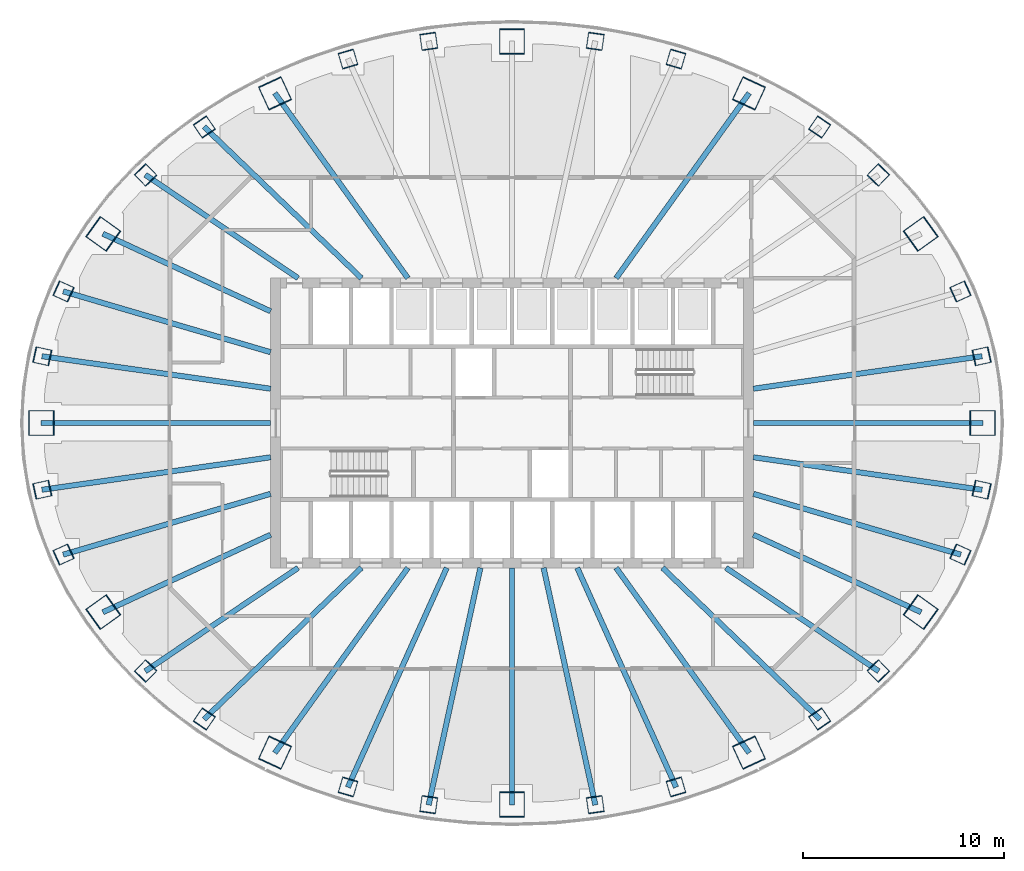
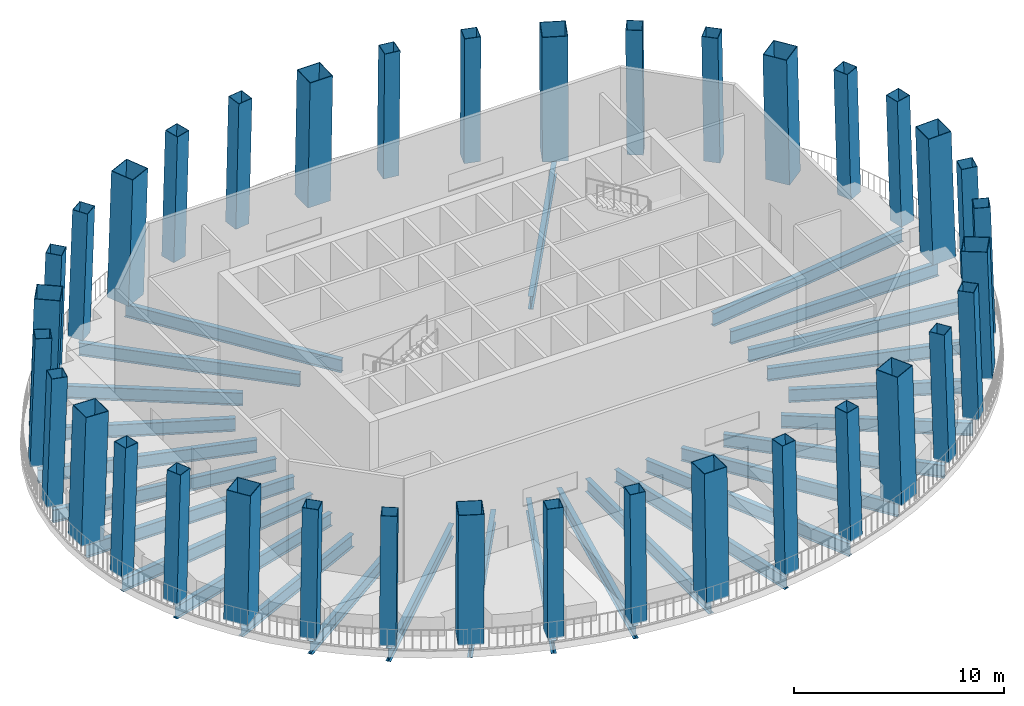
# One storey, part 1 of 15: 36 columns, 27 beams.
"""IFC4 building model written with IfcOpenShell, lengths in metres."""

from ifc_helpers import new_model, si_unit, direction, frame, origin, origin_2d, place, context, subcontext, project, spatial, hollow_rectangle, i_section, extrude, material, material_profile, profile_set, type_object, element, save


model = new_model("IFC4")

# Units and contexts
model_context = context("Model", 3, precision=1e-05, world=origin(), true_north=direction((0.0, 1.0)))
body_context = subcontext(model_context, "Body", "Model", "MODEL_VIEW")
ifc_project = project(units=[si_unit("LENGTHUNIT", "METRE"), si_unit("AREAUNIT", "SQUARE_METRE"), si_unit("VOLUMEUNIT", "CUBIC_METRE"), si_unit("PLANEANGLEUNIT", "RADIAN"), si_unit("MASSUNIT", "GRAM", prefix="KILO")], contexts=[model_context])

# Site, building, storey
site_placement = place(None, origin())
site = spatial("IfcSite", under=ifc_project, at=site_placement, CompositionType="ELEMENT")
building_placement = place(site_placement, origin())
building = spatial("IfcBuilding", under=site, at=building_placement, Name="Siaravel Broadcast Tower", CompositionType="ELEMENT")
storey_placement = place(building_placement, frame((0.0, 0.0, 145.199951171875)))
storey = spatial("IfcBuildingStorey", under=building, at=storey_placement, Name="L35", CompositionType="ELEMENT", Elevation=145.199951171875)

# Columns
ifc_material_1 = material(Name="Concrete C60/75", Category="concrete")
ifc_material_profile_1 = material_profile(ifc_material_1, hollow_rectangle(XDim=1.25, YDim=1.25, WallThickness=0.031982421875, at=origin_2d()))
ifc_profile_set_1 = profile_set([ifc_material_profile_1], Name="Concrete C60/75")
column_type_1 = type_object("IfcColumnType", Name="COL-CFT BOX 1250x1250x32", PredefinedType="COLUMN", material=ifc_profile_set_1)
column_1_placement = place(storey_placement, frame((23.416748046875, 0.0, 0.0), z_axis=(-0.034587192, 0.0, 0.999401684), x_axis=(0.0, -1.0, 0.0)))
element("IfcColumn", 1, at=column_1_placement, inside=storey, type_object=column_type_1, Name="Megacolumn MC01", PredefinedType="COLUMN", context=body_context, shape_type="SweptSolid", body=[
    extrude(hollow_rectangle(XDim=1.25, YDim=1.25, WallThickness=0.031982421875, at=origin_2d()), origin(), (0.0, 0.0, 1.0), 7.404541015625),
])
column_2_placement = place(storey_placement, frame((20.3330078125, 9.4072265625, 0.0), z_axis=(-0.029939694, -0.014145516, 0.999451609), x_axis=(0.582589864, -0.812744522, 0.005949134)))
element("IfcColumn", 2, at=column_2_placement, inside=storey, type_object=column_type_1, Name="Megacolumn MC02", PredefinedType="COLUMN", context=body_context, shape_type="SweptSolid", body=[
    extrude(hollow_rectangle(XDim=1.25, YDim=1.25, WallThickness=0.031982421875, at=origin_2d()), origin(), (0.0, 0.0, 1.0), 7.404296875),
])
column_3_placement = place(storey_placement, frame((11.7880859375, 16.397216796875, 0.0), z_axis=(-0.017279654, -0.024567447, 0.999548825), x_axis=(0.90833104, -0.418216817, 0.005423574)))
element("IfcColumn", 3, at=column_3_placement, inside=storey, type_object=column_type_1, Name="Megacolumn MC03", PredefinedType="COLUMN", context=body_context, shape_type="SweptSolid", body=[
    extrude(hollow_rectangle(XDim=1.25, YDim=1.25, WallThickness=0.031982421875, at=origin_2d()), origin(), (0.0, 0.0, 1.0), 7.403564453125),
])
column_4_placement = place(storey_placement, frame((0.0, 18.98193359375, 0.0), z_axis=(0.0, -0.028328173, 0.999598677), x_axis=(1.0, 0.0, 0.0)))
element("IfcColumn", 4, at=column_4_placement, inside=storey, type_object=column_type_1, Name="Megacolumn MC04", PredefinedType="COLUMN", context=body_context, shape_type="SweptSolid", body=[
    extrude(hollow_rectangle(XDim=1.25, YDim=1.25, WallThickness=0.031982421875, at=origin_2d()), origin(), (0.0, 0.0, 1.0), 7.403076171875),
])
column_5_placement = place(storey_placement, frame((-11.7880859375, 16.397216796875, 0.0), z_axis=(0.017279654, -0.024567447, 0.999548825), x_axis=(0.90833104, 0.418216817, -0.005423574)))
element("IfcColumn", 5, at=column_5_placement, inside=storey, type_object=column_type_1, Name="Megacolumn MC05", PredefinedType="COLUMN", context=body_context, shape_type="SweptSolid", body=[
    extrude(hollow_rectangle(XDim=1.25, YDim=1.25, WallThickness=0.031982421875, at=origin_2d()), origin(), (0.0, 0.0, 1.0), 7.403564453125),
])
column_6_placement = place(storey_placement, frame((-20.3330078125, 9.4072265625, 0.0), z_axis=(0.029939694, -0.014145516, 0.999451609), x_axis=(0.582589864, 0.812744522, -0.005949134)))
element("IfcColumn", 6, at=column_6_placement, inside=storey, type_object=column_type_1, Name="Megacolumn MC06", PredefinedType="COLUMN", context=body_context, shape_type="SweptSolid", body=[
    extrude(hollow_rectangle(XDim=1.25, YDim=1.25, WallThickness=0.031982421875, at=origin_2d()), origin(), (0.0, 0.0, 1.0), 7.404296875),
])
column_7_placement = place(storey_placement, frame((-23.416748046875, 0.0, 0.0), z_axis=(0.034587192, 0.0, 0.999401684), x_axis=(0.0, 1.0, 0.0)))
element("IfcColumn", 7, at=column_7_placement, inside=storey, type_object=column_type_1, Name="Megacolumn MC07", PredefinedType="COLUMN", context=body_context, shape_type="SweptSolid", body=[
    extrude(hollow_rectangle(XDim=1.25, YDim=1.25, WallThickness=0.031982421875, at=origin_2d()), origin(), (0.0, 0.0, 1.0), 7.404541015625),
])
column_8_placement = place(storey_placement, frame((-20.3330078125, -9.4072265625, 0.0), z_axis=(0.029939694, 0.014145516, 0.999451609), x_axis=(-0.582589864, 0.812744522, 0.005949134)))
element("IfcColumn", 8, at=column_8_placement, inside=storey, type_object=column_type_1, Name="Megacolumn MC08", PredefinedType="COLUMN", context=body_context, shape_type="SweptSolid", body=[
    extrude(hollow_rectangle(XDim=1.25, YDim=1.25, WallThickness=0.031982421875, at=origin_2d()), origin(), (0.0, 0.0, 1.0), 7.404296875),
])
column_9_placement = place(storey_placement, frame((-11.7880859375, -16.397216796875, 0.0), z_axis=(0.017279654, 0.024567447, 0.999548825), x_axis=(-0.90833104, 0.418216817, 0.005423574)))
element("IfcColumn", 9, at=column_9_placement, inside=storey, type_object=column_type_1, Name="Megacolumn MC09", PredefinedType="COLUMN", context=body_context, shape_type="SweptSolid", body=[
    extrude(hollow_rectangle(XDim=1.25, YDim=1.25, WallThickness=0.031982421875, at=origin_2d()), origin(), (0.0, 0.0, 1.0), 7.403564453125),
])
column_10_placement = place(storey_placement, frame((0.0, -18.98193359375, 0.0), z_axis=(0.0, 0.028328173, 0.999598677), x_axis=(-1.0, 0.0, 0.0)))
element("IfcColumn", 10, at=column_10_placement, inside=storey, type_object=column_type_1, Name="Megacolumn MC10", PredefinedType="COLUMN", context=body_context, shape_type="SweptSolid", body=[
    extrude(hollow_rectangle(XDim=1.25, YDim=1.25, WallThickness=0.031982421875, at=origin_2d()), origin(), (0.0, 0.0, 1.0), 7.403076171875),
])
column_11_placement = place(storey_placement, frame((11.7880859375, -16.397216796875, 0.0), z_axis=(-0.017279654, 0.024567447, 0.999548825), x_axis=(-0.90833104, -0.418216817, -0.005423574)))
element("IfcColumn", 11, at=column_11_placement, inside=storey, type_object=column_type_1, Name="Megacolumn MC11", PredefinedType="COLUMN", context=body_context, shape_type="SweptSolid", body=[
    extrude(hollow_rectangle(XDim=1.25, YDim=1.25, WallThickness=0.031982421875, at=origin_2d()), origin(), (0.0, 0.0, 1.0), 7.403564453125),
])
column_12_placement = place(storey_placement, frame((20.3330078125, -9.4072265625, 0.0), z_axis=(-0.029939694, 0.014145516, 0.999451609), x_axis=(-0.582589864, -0.812744522, -0.005949134)))
element("IfcColumn", 12, at=column_12_placement, inside=storey, type_object=column_type_1, Name="Megacolumn MC12", PredefinedType="COLUMN", context=body_context, shape_type="SweptSolid", body=[
    extrude(hollow_rectangle(XDim=1.25, YDim=1.25, WallThickness=0.031982421875, at=origin_2d()), origin(), (0.0, 0.0, 1.0), 7.404296875),
])
ifc_material_profile_2 = material_profile(ifc_material_1, hollow_rectangle(XDim=0.800048828125, YDim=0.800048828125, WallThickness=0.02490234375, at=origin_2d()))
ifc_profile_set_2 = profile_set([ifc_material_profile_2], Name="Concrete C60/75")
column_type_2 = type_object("IfcColumnType", Name="COL-CFT BOX 800x800x25", PredefinedType="COLUMN", material=ifc_profile_set_2)
column_13_placement = place(storey_placement, frame((23.3623046875, 3.31884765625, 0.0), z_axis=(-0.034059852, -0.004912796, 0.99940772), x_axis=(0.212489843, -0.977160233, 0.002438228)))
element("IfcColumn", 13, at=column_13_placement, inside=storey, type_object=column_type_2, Name="Perimeter column C01", PredefinedType="COLUMN", context=body_context, shape_type="SweptSolid", body=[
    extrude(hollow_rectangle(XDim=0.800048828125, YDim=0.800048828125, WallThickness=0.02490234375, at=origin_2d()), origin(), (0.0, 0.0, 1.0), 7.404541015625),
])
column_14_placement = place(storey_placement, frame((22.30712890625, 6.543701171875, 0.0), z_axis=(-0.03251071, -0.009726835, 0.999424055), x_axis=(0.410893794, -0.911672145, 0.004493352)))
element("IfcColumn", 14, at=column_14_placement, inside=storey, type_object=column_type_2, Name="Perimeter column C02", PredefinedType="COLUMN", context=body_context, shape_type="SweptSolid", body=[
    extrude(hollow_rectangle(XDim=0.800048828125, YDim=0.800048828125, WallThickness=0.02490234375, at=origin_2d()), origin(), (0.0, 0.0, 1.0), 7.404296875),
])
column_15_placement = place(storey_placement, frame((18.22216796875, 12.3359375, 0.0), z_axis=(-0.026511305, -0.018201791, 0.999482789), x_axis=(0.720044306, -0.693898, 0.00646247)))
element("IfcColumn", 15, at=column_15_placement, inside=storey, type_object=column_type_2, Name="Perimeter column C03", PredefinedType="COLUMN", context=body_context, shape_type="SweptSolid", body=[
    extrude(hollow_rectangle(XDim=0.800048828125, YDim=0.800048828125, WallThickness=0.02490234375, at=origin_2d()), origin(), (0.0, 0.0, 1.0), 7.404052734375),
])
column_16_placement = place(storey_placement, frame((15.305908203125, 14.724365234375, 0.0), z_axis=(-0.022225423, -0.021697816, 0.999517501), x_axis=(0.828184514, -0.560420689, 0.006249861)))
element("IfcColumn", 16, at=column_16_placement, inside=storey, type_object=column_type_2, Name="Perimeter column C04", PredefinedType="COLUMN", context=body_context, shape_type="SweptSolid", body=[
    extrude(hollow_rectangle(XDim=0.800048828125, YDim=0.800048828125, WallThickness=0.02490234375, at=origin_2d()), origin(), (0.0, 0.0, 1.0), 7.40380859375),
])
column_17_placement = place(storey_placement, frame((8.15673828125, 18.104248046875, 0.0), z_axis=(-0.011838849, -0.026645656, 0.999574835), x_axis=(0.959763153, -0.280783932, 0.00388247)))
element("IfcColumn", 17, at=column_17_placement, inside=storey, type_object=column_type_2, Name="Perimeter column C05", PredefinedType="COLUMN", context=body_context, shape_type="SweptSolid", body=[
    extrude(hollow_rectangle(XDim=0.800048828125, YDim=0.800048828125, WallThickness=0.02490234375, at=origin_2d()), origin(), (0.0, 0.0, 1.0), 7.4033203125),
])
for number, where, z_axis, x_axis, name in (
    (18, (4.142822265625, 18.985107421875, 0.0), (-0.006001975, -0.027899292, 0.99959272), (0.99014257, -0.140048362, 0.002036391), "Perimeter column C06"),
    (19, (-4.142822265625, 18.985107421875, 0.0), (0.006001975, -0.027899292, 0.99959272), (0.99014257, 0.140048362, -0.002036391), "Perimeter column C07"),
):
    element("IfcColumn", number, at=place(storey_placement, frame(where, z_axis=z_axis, x_axis=x_axis)), inside=storey, type_object=column_type_2, Name=name, PredefinedType="COLUMN", context=body_context, shape_type="SweptSolid", body=[
        extrude(hollow_rectangle(XDim=0.800048828125, YDim=0.800048828125, WallThickness=0.02490234375, at=origin_2d()), origin(), (0.0, 0.0, 1.0), 7.403076171875),
    ])
column_18_placement = place(storey_placement, frame((-8.15673828125, 18.104248046875, 0.0), z_axis=(0.011838849, -0.026645656, 0.999574835), x_axis=(0.959763153, 0.280783932, -0.00388247)))
element("IfcColumn", 20, at=column_18_placement, inside=storey, type_object=column_type_2, Name="Perimeter column C08", PredefinedType="COLUMN", context=body_context, shape_type="SweptSolid", body=[
    extrude(hollow_rectangle(XDim=0.800048828125, YDim=0.800048828125, WallThickness=0.02490234375, at=origin_2d()), origin(), (0.0, 0.0, 1.0), 7.4033203125),
])
column_19_placement = place(storey_placement, frame((-15.305908203125, 14.724365234375, 0.0), z_axis=(0.022225423, -0.021697816, 0.999517501), x_axis=(0.828184514, 0.560420689, -0.006249861)))
element("IfcColumn", 21, at=column_19_placement, inside=storey, type_object=column_type_2, Name="Perimeter column C09", PredefinedType="COLUMN", context=body_context, shape_type="SweptSolid", body=[
    extrude(hollow_rectangle(XDim=0.800048828125, YDim=0.800048828125, WallThickness=0.02490234375, at=origin_2d()), origin(), (0.0, 0.0, 1.0), 7.40380859375),
])
column_20_placement = place(storey_placement, frame((-18.22216796875, 12.3359375, 0.0), z_axis=(0.026511305, -0.018201791, 0.999482789), x_axis=(0.720044306, 0.693898, -0.00646247)))
element("IfcColumn", 22, at=column_20_placement, inside=storey, type_object=column_type_2, Name="Perimeter column C10", PredefinedType="COLUMN", context=body_context, shape_type="SweptSolid", body=[
    extrude(hollow_rectangle(XDim=0.800048828125, YDim=0.800048828125, WallThickness=0.02490234375, at=origin_2d()), origin(), (0.0, 0.0, 1.0), 7.404052734375),
])
column_21_placement = place(storey_placement, frame((-22.30712890625, 6.543701171875, 0.0), z_axis=(0.03251071, -0.009726835, 0.999424055), x_axis=(0.410893794, 0.911672145, -0.004493352)))
element("IfcColumn", 23, at=column_21_placement, inside=storey, type_object=column_type_2, Name="Perimeter column C11", PredefinedType="COLUMN", context=body_context, shape_type="SweptSolid", body=[
    extrude(hollow_rectangle(XDim=0.800048828125, YDim=0.800048828125, WallThickness=0.02490234375, at=origin_2d()), origin(), (0.0, 0.0, 1.0), 7.404296875),
])
for number, where, z_axis, x_axis, name in (
    (24, (-23.3623046875, 3.31884765625, 0.0), (0.034059852, -0.004912796, 0.99940772), (0.212489843, 0.977160233, -0.002438228), "Perimeter column C12"),
    (25, (-23.3623046875, -3.31884765625, 0.0), (0.034059852, 0.004912796, 0.99940772), (-0.212489843, 0.977160233, 0.002438228), "Perimeter column C13"),
):
    element("IfcColumn", number, at=place(storey_placement, frame(where, z_axis=z_axis, x_axis=x_axis)), inside=storey, type_object=column_type_2, Name=name, PredefinedType="COLUMN", context=body_context, shape_type="SweptSolid", body=[
        extrude(hollow_rectangle(XDim=0.800048828125, YDim=0.800048828125, WallThickness=0.02490234375, at=origin_2d()), origin(), (0.0, 0.0, 1.0), 7.404541015625),
    ])
column_22_placement = place(storey_placement, frame((-22.30712890625, -6.543701171875, 0.0), z_axis=(0.03251071, 0.009726835, 0.999424055), x_axis=(-0.410893794, 0.911672145, 0.004493352)))
element("IfcColumn", 26, at=column_22_placement, inside=storey, type_object=column_type_2, Name="Perimeter column C14", PredefinedType="COLUMN", context=body_context, shape_type="SweptSolid", body=[
    extrude(hollow_rectangle(XDim=0.800048828125, YDim=0.800048828125, WallThickness=0.02490234375, at=origin_2d()), origin(), (0.0, 0.0, 1.0), 7.404296875),
])
column_23_placement = place(storey_placement, frame((-18.22216796875, -12.3359375, 0.0), z_axis=(0.026511305, 0.018201791, 0.999482789), x_axis=(-0.720044306, 0.693898, 0.00646247)))
element("IfcColumn", 27, at=column_23_placement, inside=storey, type_object=column_type_2, Name="Perimeter column C15", PredefinedType="COLUMN", context=body_context, shape_type="SweptSolid", body=[
    extrude(hollow_rectangle(XDim=0.800048828125, YDim=0.800048828125, WallThickness=0.02490234375, at=origin_2d()), origin(), (0.0, 0.0, 1.0), 7.404052734375),
])
column_24_placement = place(storey_placement, frame((-15.305908203125, -14.724365234375, 0.0), z_axis=(0.022225423, 0.021697816, 0.999517501), x_axis=(-0.828184514, 0.560420689, 0.006249861)))
element("IfcColumn", 28, at=column_24_placement, inside=storey, type_object=column_type_2, Name="Perimeter column C16", PredefinedType="COLUMN", context=body_context, shape_type="SweptSolid", body=[
    extrude(hollow_rectangle(XDim=0.800048828125, YDim=0.800048828125, WallThickness=0.02490234375, at=origin_2d()), origin(), (0.0, 0.0, 1.0), 7.40380859375),
])
column_25_placement = place(storey_placement, frame((-8.15673828125, -18.104248046875, 0.0), z_axis=(0.011838849, 0.026645656, 0.999574835), x_axis=(-0.959763153, 0.280783932, 0.00388247)))
element("IfcColumn", 29, at=column_25_placement, inside=storey, type_object=column_type_2, Name="Perimeter column C17", PredefinedType="COLUMN", context=body_context, shape_type="SweptSolid", body=[
    extrude(hollow_rectangle(XDim=0.800048828125, YDim=0.800048828125, WallThickness=0.02490234375, at=origin_2d()), origin(), (0.0, 0.0, 1.0), 7.4033203125),
])
for number, where, z_axis, x_axis, name in (
    (30, (-4.142822265625, -18.985107421875, 0.0), (0.006001975, 0.027899292, 0.99959272), (-0.99014257, 0.140048362, 0.002036391), "Perimeter column C18"),
    (31, (4.142822265625, -18.985107421875, 0.0), (-0.006001975, 0.027899292, 0.99959272), (-0.99014257, -0.140048362, -0.002036391), "Perimeter column C19"),
):
    element("IfcColumn", number, at=place(storey_placement, frame(where, z_axis=z_axis, x_axis=x_axis)), inside=storey, type_object=column_type_2, Name=name, PredefinedType="COLUMN", context=body_context, shape_type="SweptSolid", body=[
        extrude(hollow_rectangle(XDim=0.800048828125, YDim=0.800048828125, WallThickness=0.02490234375, at=origin_2d()), origin(), (0.0, 0.0, 1.0), 7.403076171875),
    ])
column_26_placement = place(storey_placement, frame((8.15673828125, -18.104248046875, 0.0), z_axis=(-0.011838849, 0.026645656, 0.999574835), x_axis=(-0.959763153, -0.280783932, -0.00388247)))
element("IfcColumn", 32, at=column_26_placement, inside=storey, type_object=column_type_2, Name="Perimeter column C20", PredefinedType="COLUMN", context=body_context, shape_type="SweptSolid", body=[
    extrude(hollow_rectangle(XDim=0.800048828125, YDim=0.800048828125, WallThickness=0.02490234375, at=origin_2d()), origin(), (0.0, 0.0, 1.0), 7.4033203125),
])
column_27_placement = place(storey_placement, frame((15.305908203125, -14.724365234375, 0.0), z_axis=(-0.022225423, 0.021697816, 0.999517501), x_axis=(-0.828184514, -0.560420689, -0.006249861)))
element("IfcColumn", 33, at=column_27_placement, inside=storey, type_object=column_type_2, Name="Perimeter column C21", PredefinedType="COLUMN", context=body_context, shape_type="SweptSolid", body=[
    extrude(hollow_rectangle(XDim=0.800048828125, YDim=0.800048828125, WallThickness=0.02490234375, at=origin_2d()), origin(), (0.0, 0.0, 1.0), 7.40380859375),
])
column_28_placement = place(storey_placement, frame((18.22216796875, -12.3359375, 0.0), z_axis=(-0.026511305, 0.018201791, 0.999482789), x_axis=(-0.720044306, -0.693898, -0.00646247)))
element("IfcColumn", 34, at=column_28_placement, inside=storey, type_object=column_type_2, Name="Perimeter column C22", PredefinedType="COLUMN", context=body_context, shape_type="SweptSolid", body=[
    extrude(hollow_rectangle(XDim=0.800048828125, YDim=0.800048828125, WallThickness=0.02490234375, at=origin_2d()), origin(), (0.0, 0.0, 1.0), 7.404052734375),
])
column_29_placement = place(storey_placement, frame((22.30712890625, -6.543701171875, 0.0), z_axis=(-0.03251071, 0.009726835, 0.999424055), x_axis=(-0.410893794, -0.911672145, -0.004493352)))
element("IfcColumn", 35, at=column_29_placement, inside=storey, type_object=column_type_2, Name="Perimeter column C23", PredefinedType="COLUMN", context=body_context, shape_type="SweptSolid", body=[
    extrude(hollow_rectangle(XDim=0.800048828125, YDim=0.800048828125, WallThickness=0.02490234375, at=origin_2d()), origin(), (0.0, 0.0, 1.0), 7.404296875),
])
column_30_placement = place(storey_placement, frame((23.3623046875, -3.31884765625, 0.0), z_axis=(-0.034059852, 0.004912796, 0.99940772), x_axis=(-0.212489843, -0.977160233, -0.002438228)))
element("IfcColumn", 36, at=column_30_placement, inside=storey, type_object=column_type_2, Name="Perimeter column C24", PredefinedType="COLUMN", context=body_context, shape_type="SweptSolid", body=[
    extrude(hollow_rectangle(XDim=0.800048828125, YDim=0.800048828125, WallThickness=0.02490234375, at=origin_2d()), origin(), (0.0, 0.0, 1.0), 7.404541015625),
])

# Beams
ifc_material_2 = material(Name="Steel S355", Category="steel")
ifc_material_profile_3 = material_profile(ifc_material_2, i_section(OverallWidth=0.26513671875, OverallDepth=0.75390625, WebThickness=0.0126953125, FlangeThickness=0.017578125, FilletRadius=0.0166015625, at=origin_2d()))
ifc_profile_set_3 = profile_set([ifc_material_profile_3], Name="Steel S355")
beam_type = type_object("IfcBeamType", Name="BM-UB 762x267x147", PredefinedType="BEAM", material=ifc_profile_set_3)
beam_1_placement = place(storey_placement, frame((23.416748046875, 0.0, -0.77685546875), z_axis=(-1.0, 0.0, 0.0), x_axis=(0.0, -1.0, 0.0)))
element("IfcBeam", 37, at=beam_1_placement, inside=storey, type_object=beam_type, Name="Radial beam RB01", PredefinedType="BEAM", context=body_context, shape_type="SweptSolid", body=[
    extrude(i_section(OverallWidth=0.26513671875, OverallDepth=0.75390625, WebThickness=0.0126953125, FlangeThickness=0.017578125, FilletRadius=0.0166015625, at=origin_2d()), origin(), (0.0, 0.0, 1.0), 11.416748046875),
])
beam_2_placement = place(storey_placement, frame((23.3623046875, 3.31884765625, -0.77685546875), z_axis=(-0.990058119, -0.14065888, 0.0), x_axis=(0.14065888, -0.990058119, 0.0)))
element("IfcBeam", 38, at=beam_2_placement, inside=storey, type_object=beam_type, Name="Radial beam RB02", PredefinedType="BEAM", context=body_context, shape_type="SweptSolid", body=[
    extrude(i_section(OverallWidth=0.26513671875, OverallDepth=0.75390625, WebThickness=0.0126953125, FlangeThickness=0.017578125, FilletRadius=0.0166015625, at=origin_2d()), origin(), (0.0, 0.0, 1.0), 11.476318359375),
])
for number, where, z_axis, x_axis, name in (
    (39, (11.7880859375, 16.397216796875, -0.77685546875), (-0.583710657, -0.811961741, 0.0), (0.811961741, -0.583710657, 0.0), "Radial beam RB07"),
    (40, (-11.7880859375, 16.397216796875, -0.77685546875), (0.583710657, -0.811961741, 0.0), (0.811961741, 0.583710657, 0.0), "Radial beam RB13"),
):
    element("IfcBeam", number, at=place(storey_placement, frame(where, z_axis=z_axis, x_axis=x_axis)), inside=storey, type_object=beam_type, Name=name, PredefinedType="BEAM", context=body_context, shape_type="SweptSolid", body=[
        extrude(i_section(OverallWidth=0.26513671875, OverallDepth=0.75390625, WebThickness=0.0126953125, FlangeThickness=0.017578125, FilletRadius=0.0166015625, at=origin_2d()), origin(), (0.0, 0.0, 1.0), 11.3271484375),
    ])
beam_3_placement = place(storey_placement, frame((-15.305908203125, 14.724365234375, -0.77685546875), z_axis=(0.720662301, -0.693286267, 0.0), x_axis=(0.693286267, 0.720662301, 0.0)))
element("IfcBeam", 41, at=beam_3_placement, inside=storey, type_object=beam_type, Name="Radial beam RB14", PredefinedType="BEAM", context=body_context, shape_type="SweptSolid", body=[
    extrude(i_section(OverallWidth=0.26513671875, OverallDepth=0.75390625, WebThickness=0.0126953125, FlangeThickness=0.017578125, FilletRadius=0.0166015625, at=origin_2d()), origin(), (0.0, 0.0, 1.0), 10.853271484375),
])
beam_4_placement = place(storey_placement, frame((-18.22216796875, 12.3359375, -0.77685546875), z_axis=(0.828089489, -0.560595932, 0.0), x_axis=(0.560595932, 0.828089489, 0.0)))
element("IfcBeam", 42, at=beam_4_placement, inside=storey, type_object=beam_type, Name="Radial beam RB15", PredefinedType="BEAM", context=body_context, shape_type="SweptSolid", body=[
    extrude(i_section(OverallWidth=0.26513671875, OverallDepth=0.75390625, WebThickness=0.0126953125, FlangeThickness=0.017578125, FilletRadius=0.0166015625, at=origin_2d()), origin(), (0.0, 0.0, 1.0), 9.16162109375),
])
beam_5_placement = place(storey_placement, frame((-20.3330078125, 9.4072265625, -0.77685546875), z_axis=(0.907576886, -0.419885931, 0.0), x_axis=(0.419885931, 0.907576886, 0.0)))
element("IfcBeam", 43, at=beam_5_placement, inside=storey, type_object=beam_type, Name="Radial beam RB16", PredefinedType="BEAM", context=body_context, shape_type="SweptSolid", body=[
    extrude(i_section(OverallWidth=0.26513671875, OverallDepth=0.75390625, WebThickness=0.0126953125, FlangeThickness=0.017578125, FilletRadius=0.0166015625, at=origin_2d()), origin(), (0.0, 0.0, 1.0), 9.181640625),
])
beam_6_placement = place(storey_placement, frame((-22.30712890625, 6.543701171875, -0.77685546875), z_axis=(0.959562515, -0.281495612, 0.0), x_axis=(0.281495612, 0.959562515, 0.0)))
element("IfcBeam", 44, at=beam_6_placement, inside=storey, type_object=beam_type, Name="Radial beam RB17", PredefinedType="BEAM", context=body_context, shape_type="SweptSolid", body=[
    extrude(i_section(OverallWidth=0.26513671875, OverallDepth=0.75390625, WebThickness=0.0126953125, FlangeThickness=0.017578125, FilletRadius=0.0166015625, at=origin_2d()), origin(), (0.0, 0.0, 1.0), 10.741455078125),
])
beam_7_placement = place(storey_placement, frame((-23.3623046875, 3.31884765625, -0.77685546875), z_axis=(0.990058119, -0.14065888, 0.0), x_axis=(0.14065888, 0.990058119, 0.0)))
element("IfcBeam", 45, at=beam_7_placement, inside=storey, type_object=beam_type, Name="Radial beam RB18", PredefinedType="BEAM", context=body_context, shape_type="SweptSolid", body=[
    extrude(i_section(OverallWidth=0.26513671875, OverallDepth=0.75390625, WebThickness=0.0126953125, FlangeThickness=0.017578125, FilletRadius=0.0166015625, at=origin_2d()), origin(), (0.0, 0.0, 1.0), 11.476318359375),
])
beam_8_placement = place(storey_placement, frame((-23.416748046875, 0.0, -0.77685546875), z_axis=(1.0, 0.0, 0.0), x_axis=(0.0, 1.0, 0.0)))
element("IfcBeam", 46, at=beam_8_placement, inside=storey, type_object=beam_type, Name="Radial beam RB19", PredefinedType="BEAM", context=body_context, shape_type="SweptSolid", body=[
    extrude(i_section(OverallWidth=0.26513671875, OverallDepth=0.75390625, WebThickness=0.0126953125, FlangeThickness=0.017578125, FilletRadius=0.0166015625, at=origin_2d()), origin(), (0.0, 0.0, 1.0), 11.416748046875),
])
beam_9_placement = place(storey_placement, frame((-23.3623046875, -3.31884765625, -0.77685546875), z_axis=(0.990058119, 0.14065888, 0.0), x_axis=(-0.14065888, 0.990058119, 0.0)))
element("IfcBeam", 47, at=beam_9_placement, inside=storey, type_object=beam_type, Name="Radial beam RB20", PredefinedType="BEAM", context=body_context, shape_type="SweptSolid", body=[
    extrude(i_section(OverallWidth=0.26513671875, OverallDepth=0.75390625, WebThickness=0.0126953125, FlangeThickness=0.017578125, FilletRadius=0.0166015625, at=origin_2d()), origin(), (0.0, 0.0, 1.0), 11.476318359375),
])
beam_10_placement = place(storey_placement, frame((-22.30712890625, -6.543701171875, -0.77685546875), z_axis=(0.959562515, 0.281495612, 0.0), x_axis=(-0.281495612, 0.959562515, 0.0)))
element("IfcBeam", 48, at=beam_10_placement, inside=storey, type_object=beam_type, Name="Radial beam RB21", PredefinedType="BEAM", context=body_context, shape_type="SweptSolid", body=[
    extrude(i_section(OverallWidth=0.26513671875, OverallDepth=0.75390625, WebThickness=0.0126953125, FlangeThickness=0.017578125, FilletRadius=0.0166015625, at=origin_2d()), origin(), (0.0, 0.0, 1.0), 10.741455078125),
])
beam_11_placement = place(storey_placement, frame((-20.3330078125, -9.4072265625, -0.77685546875), z_axis=(0.907576886, 0.419885931, 0.0), x_axis=(-0.419885931, 0.907576886, 0.0)))
element("IfcBeam", 49, at=beam_11_placement, inside=storey, type_object=beam_type, Name="Radial beam RB22", PredefinedType="BEAM", context=body_context, shape_type="SweptSolid", body=[
    extrude(i_section(OverallWidth=0.26513671875, OverallDepth=0.75390625, WebThickness=0.0126953125, FlangeThickness=0.017578125, FilletRadius=0.0166015625, at=origin_2d()), origin(), (0.0, 0.0, 1.0), 9.181640625),
])
beam_12_placement = place(storey_placement, frame((-18.22216796875, -12.3359375, -0.77685546875), z_axis=(0.828089489, 0.560595932, 0.0), x_axis=(-0.560595932, 0.828089489, 0.0)))
element("IfcBeam", 50, at=beam_12_placement, inside=storey, type_object=beam_type, Name="Radial beam RB23", PredefinedType="BEAM", context=body_context, shape_type="SweptSolid", body=[
    extrude(i_section(OverallWidth=0.26513671875, OverallDepth=0.75390625, WebThickness=0.0126953125, FlangeThickness=0.017578125, FilletRadius=0.0166015625, at=origin_2d()), origin(), (0.0, 0.0, 1.0), 9.16162109375),
])
beam_13_placement = place(storey_placement, frame((-15.305908203125, -14.724365234375, -0.77685546875), z_axis=(0.720662301, 0.693286267, 0.0), x_axis=(-0.693286267, 0.720662301, 0.0)))
element("IfcBeam", 51, at=beam_13_placement, inside=storey, type_object=beam_type, Name="Radial beam RB24", PredefinedType="BEAM", context=body_context, shape_type="SweptSolid", body=[
    extrude(i_section(OverallWidth=0.26513671875, OverallDepth=0.75390625, WebThickness=0.0126953125, FlangeThickness=0.017578125, FilletRadius=0.0166015625, at=origin_2d()), origin(), (0.0, 0.0, 1.0), 10.853271484375),
])
beam_14_placement = place(storey_placement, frame((-11.7880859375, -16.397216796875, -0.77685546875), z_axis=(0.583710657, 0.811961741, 0.0), x_axis=(-0.811961741, 0.583710657, 0.0)))
element("IfcBeam", 52, at=beam_14_placement, inside=storey, type_object=beam_type, Name="Radial beam RB25", PredefinedType="BEAM", context=body_context, shape_type="SweptSolid", body=[
    extrude(i_section(OverallWidth=0.26513671875, OverallDepth=0.75390625, WebThickness=0.0126953125, FlangeThickness=0.017578125, FilletRadius=0.0166015625, at=origin_2d()), origin(), (0.0, 0.0, 1.0), 11.3271484375),
])
beam_15_placement = place(storey_placement, frame((-8.15673828125, -18.104248046875, -0.77685546875), z_axis=(0.410775447, 0.911736548, 0.0), x_axis=(-0.911736548, 0.410775447, 0.0)))
element("IfcBeam", 53, at=beam_15_placement, inside=storey, type_object=beam_type, Name="Radial beam RB26", PredefinedType="BEAM", context=body_context, shape_type="SweptSolid", body=[
    extrude(i_section(OverallWidth=0.26513671875, OverallDepth=0.75390625, WebThickness=0.0126953125, FlangeThickness=0.017578125, FilletRadius=0.0166015625, at=origin_2d()), origin(), (0.0, 0.0, 1.0), 11.9599609375),
])
beam_16_placement = place(storey_placement, frame((-4.142822265625, -18.985107421875, -0.77685546875), z_axis=(0.21318499, 0.977011853, 0.0), x_axis=(-0.977011853, 0.21318499, 0.0)))
element("IfcBeam", 54, at=beam_16_placement, inside=storey, type_object=beam_type, Name="Radial beam RB27", PredefinedType="BEAM", context=body_context, shape_type="SweptSolid", body=[
    extrude(i_section(OverallWidth=0.26513671875, OverallDepth=0.75390625, WebThickness=0.0126953125, FlangeThickness=0.017578125, FilletRadius=0.0166015625, at=origin_2d()), origin(), (0.0, 0.0, 1.0), 12.0625),
])
beam_17_placement = place(storey_placement, frame((0.0, -18.98193359375, -0.77685546875), z_axis=(0.0, 1.0, 0.0), x_axis=(-1.0, 0.0, 0.0)))
element("IfcBeam", 55, at=beam_17_placement, inside=storey, type_object=beam_type, Name="Radial beam RB28", PredefinedType="BEAM", context=body_context, shape_type="SweptSolid", body=[
    extrude(i_section(OverallWidth=0.26513671875, OverallDepth=0.75390625, WebThickness=0.0126953125, FlangeThickness=0.017578125, FilletRadius=0.0166015625, at=origin_2d()), origin(), (0.0, 0.0, 1.0), 11.781982421875),
])
beam_18_placement = place(storey_placement, frame((4.142822265625, -18.985107421875, -0.77685546875), z_axis=(-0.21318499, 0.977011853, 0.0), x_axis=(-0.977011853, -0.21318499, 0.0)))
element("IfcBeam", 56, at=beam_18_placement, inside=storey, type_object=beam_type, Name="Radial beam RB29", PredefinedType="BEAM", context=body_context, shape_type="SweptSolid", body=[
    extrude(i_section(OverallWidth=0.26513671875, OverallDepth=0.75390625, WebThickness=0.0126953125, FlangeThickness=0.017578125, FilletRadius=0.0166015625, at=origin_2d()), origin(), (0.0, 0.0, 1.0), 12.0625),
])
beam_19_placement = place(storey_placement, frame((8.15673828125, -18.104248046875, -0.77685546875), z_axis=(-0.410775447, 0.911736548, 0.0), x_axis=(-0.911736548, -0.410775447, 0.0)))
element("IfcBeam", 57, at=beam_19_placement, inside=storey, type_object=beam_type, Name="Radial beam RB30", PredefinedType="BEAM", context=body_context, shape_type="SweptSolid", body=[
    extrude(i_section(OverallWidth=0.26513671875, OverallDepth=0.75390625, WebThickness=0.0126953125, FlangeThickness=0.017578125, FilletRadius=0.0166015625, at=origin_2d()), origin(), (0.0, 0.0, 1.0), 11.9599609375),
])
beam_20_placement = place(storey_placement, frame((11.7880859375, -16.397216796875, -0.77685546875), z_axis=(-0.583710657, 0.811961741, 0.0), x_axis=(-0.811961741, -0.583710657, 0.0)))
element("IfcBeam", 58, at=beam_20_placement, inside=storey, type_object=beam_type, Name="Radial beam RB31", PredefinedType="BEAM", context=body_context, shape_type="SweptSolid", body=[
    extrude(i_section(OverallWidth=0.26513671875, OverallDepth=0.75390625, WebThickness=0.0126953125, FlangeThickness=0.017578125, FilletRadius=0.0166015625, at=origin_2d()), origin(), (0.0, 0.0, 1.0), 11.3271484375),
])
beam_21_placement = place(storey_placement, frame((15.305908203125, -14.724365234375, -0.77685546875), z_axis=(-0.720662301, 0.693286267, 0.0), x_axis=(-0.693286267, -0.720662301, 0.0)))
element("IfcBeam", 59, at=beam_21_placement, inside=storey, type_object=beam_type, Name="Radial beam RB32", PredefinedType="BEAM", context=body_context, shape_type="SweptSolid", body=[
    extrude(i_section(OverallWidth=0.26513671875, OverallDepth=0.75390625, WebThickness=0.0126953125, FlangeThickness=0.017578125, FilletRadius=0.0166015625, at=origin_2d()), origin(), (0.0, 0.0, 1.0), 10.853271484375),
])
beam_22_placement = place(storey_placement, frame((18.22216796875, -12.3359375, -0.77685546875), z_axis=(-0.828089489, 0.560595932, 0.0), x_axis=(-0.560595932, -0.828089489, 0.0)))
element("IfcBeam", 60, at=beam_22_placement, inside=storey, type_object=beam_type, Name="Radial beam RB33", PredefinedType="BEAM", context=body_context, shape_type="SweptSolid", body=[
    extrude(i_section(OverallWidth=0.26513671875, OverallDepth=0.75390625, WebThickness=0.0126953125, FlangeThickness=0.017578125, FilletRadius=0.0166015625, at=origin_2d()), origin(), (0.0, 0.0, 1.0), 9.16162109375),
])
beam_23_placement = place(storey_placement, frame((20.3330078125, -9.4072265625, -0.77685546875), z_axis=(-0.907576886, 0.419885931, 0.0), x_axis=(-0.419885931, -0.907576886, 0.0)))
element("IfcBeam", 61, at=beam_23_placement, inside=storey, type_object=beam_type, Name="Radial beam RB34", PredefinedType="BEAM", context=body_context, shape_type="SweptSolid", body=[
    extrude(i_section(OverallWidth=0.26513671875, OverallDepth=0.75390625, WebThickness=0.0126953125, FlangeThickness=0.017578125, FilletRadius=0.0166015625, at=origin_2d()), origin(), (0.0, 0.0, 1.0), 9.181640625),
])
beam_24_placement = place(storey_placement, frame((22.30712890625, -6.543701171875, -0.77685546875), z_axis=(-0.959562515, 0.281495612, 0.0), x_axis=(-0.281495612, -0.959562515, 0.0)))
element("IfcBeam", 62, at=beam_24_placement, inside=storey, type_object=beam_type, Name="Radial beam RB35", PredefinedType="BEAM", context=body_context, shape_type="SweptSolid", body=[
    extrude(i_section(OverallWidth=0.26513671875, OverallDepth=0.75390625, WebThickness=0.0126953125, FlangeThickness=0.017578125, FilletRadius=0.0166015625, at=origin_2d()), origin(), (0.0, 0.0, 1.0), 10.741455078125),
])
beam_25_placement = place(storey_placement, frame((23.3623046875, -3.31884765625, -0.77685546875), z_axis=(-0.990058119, 0.14065888, 0.0), x_axis=(-0.14065888, -0.990058119, 0.0)))
element("IfcBeam", 63, at=beam_25_placement, inside=storey, type_object=beam_type, Name="Radial beam RB36", PredefinedType="BEAM", context=body_context, shape_type="SweptSolid", body=[
    extrude(i_section(OverallWidth=0.26513671875, OverallDepth=0.75390625, WebThickness=0.0126953125, FlangeThickness=0.017578125, FilletRadius=0.0166015625, at=origin_2d()), origin(), (0.0, 0.0, 1.0), 11.476318359375),
])

save(model, "model.ifc")
